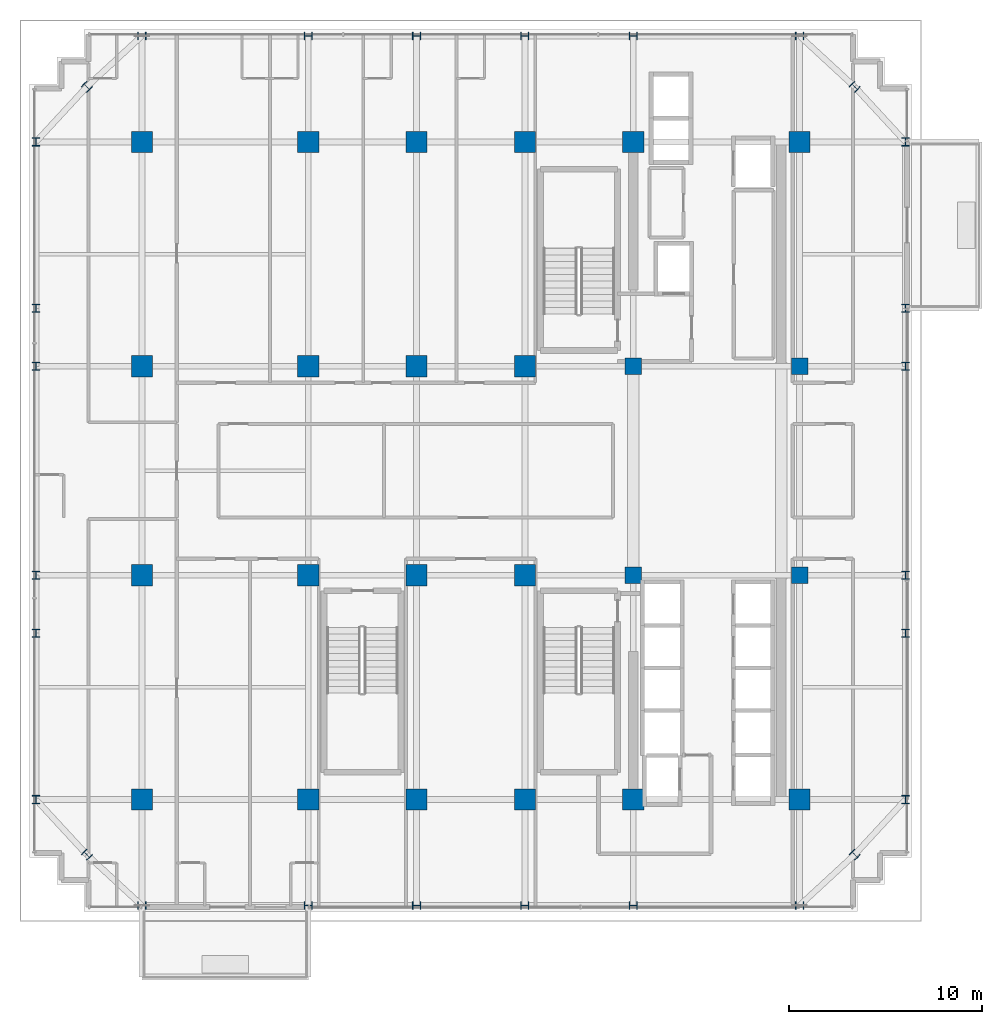
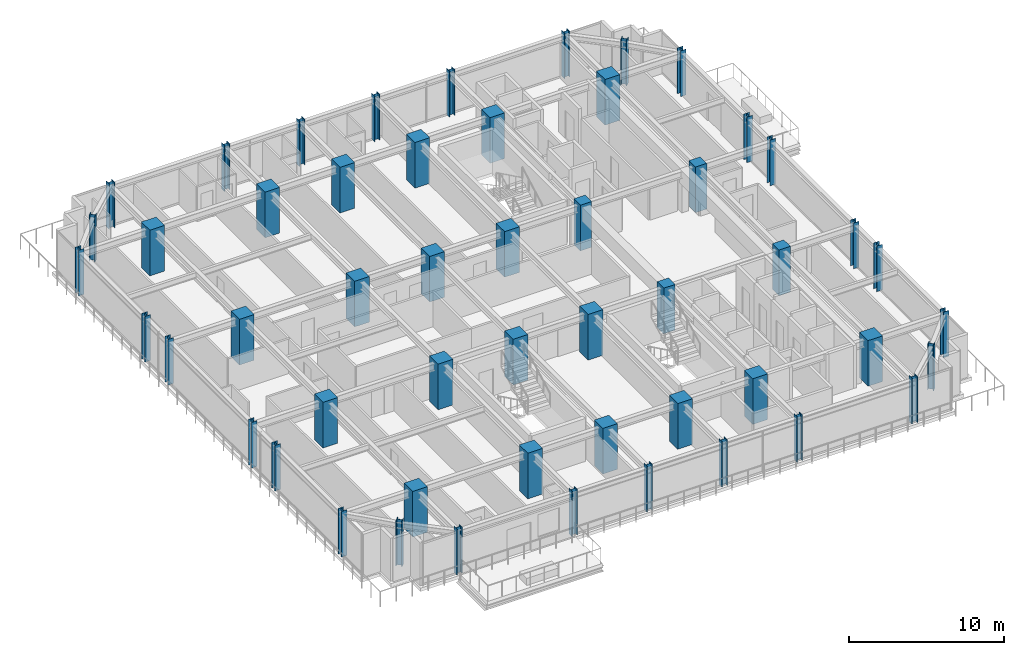
# One storey, part 1 of 33: 52 columns.
"""IFC4 building model written with IfcOpenShell, lengths in metres."""

from ifc_helpers import new_model, si_unit, direction, frame, origin, origin_2d, place, context, subcontext, project, spatial, rectangle, i_section, extrude, source, transform, mapped, material, material_profile, profile_set, type_object, element, save


model = new_model("IFC4")

# Units and contexts
model_context = context("Model", 3, precision=1e-05, world=origin(), true_north=direction((0.0, 1.0)))
body_context = subcontext(model_context, "Body", "Model", "MODEL_VIEW")
ifc_project = project(units=[si_unit("LENGTHUNIT", "METRE"), si_unit("AREAUNIT", "SQUARE_METRE"), si_unit("VOLUMEUNIT", "CUBIC_METRE"), si_unit("PLANEANGLEUNIT", "RADIAN"), si_unit("MASSUNIT", "GRAM", prefix="KILO")], contexts=[model_context])

# Site, building, storey
site_placement = place(None, origin())
site = spatial("IfcSite", under=ifc_project, at=site_placement, CompositionType="ELEMENT")
building_placement = place(site_placement, origin())
building = spatial("IfcBuilding", under=site, at=building_placement, Name="Nahalor Promenade Grand Hotel", CompositionType="ELEMENT")
storey_placement = place(building_placement, frame((0.0, 0.0, 149.0)))
storey = spatial("IfcBuildingStorey", under=building, at=storey_placement, Name="L37", CompositionType="ELEMENT", Elevation=149.0)

# Columns
ifc_material_1 = material(Name="Concrete B-70 (C60/75)", Category="concrete")
ifc_material_profile_1 = material_profile(ifc_material_1, rectangle(XDim=0.85, YDim=0.85, at=origin_2d()), Name="RC 850x850")
ifc_profile_set_1 = profile_set([ifc_material_profile_1], Name="Concrete B-70 (C60/75)")
column_type_1 = type_object("IfcColumnType", Name="Col-Pilaster-850", PredefinedType="PILASTER", material=ifc_profile_set_1)
shared_shape_1 = source(origin(), body_context, "Body", "SweptSolid", [
    extrude(rectangle(XDim=0.85, YDim=0.85, at=origin_2d()), origin(), (0.0, 0.0, 1.0), 3.60498046875),
])
for number, where, z_axis, x_axis, name in (
    (1, (8.39990234375, -5.39990234375, 0.0), (0.0, 0.0, 1.0), (1.0, 0.0, 0.0), "COL-L37-I41"),
    (2, (8.39990234375, 5.39990234375, 0.0), (0.0, 0.0, 1.0), (1.0, 0.0, 0.0), "COL-L37-I42"),
    (3, (17.0, -5.39990234375, 0.0), (0.0, 0.0, 1.0), (1.0, 0.0, 0.0), "COL-L37-I51"),
    (4, (17.0, 5.39990234375, 0.0), (0.0, 0.0, 1.0), (1.0, 0.0, 0.0), "COL-L37-I52"),
):
    element("IfcColumn", number, at=place(storey_placement, frame(where, z_axis=z_axis, x_axis=x_axis)), inside=storey, type_object=column_type_1, Name=name, PredefinedType="PILASTER", context=body_context, shape_type="MappedRepresentation", body=[
        mapped(shared_shape_1, transform((0.0, 0.0, 0.0), scale=1.0)),
    ])
ifc_material_2 = material(Name="Concrete B-60 (C50/60)", Category="concrete")
ifc_material_profile_2 = material_profile(ifc_material_2, rectangle(XDim=1.1, YDim=1.1, at=origin_2d()), Name="RC 1100x1100")
ifc_profile_set_2 = profile_set([ifc_material_profile_2], Name="Concrete B-60 (C50/60)")
column_type_2 = type_object("IfcColumnType", Name="Col-RC-1100", PredefinedType="COLUMN", material=ifc_profile_set_2)
shared_shape_2 = source(origin(), body_context, "Body", "SweptSolid", [
    extrude(rectangle(XDim=1.1, YDim=1.1, at=origin_2d()), origin(), (0.0, 0.0, 1.0), 3.60498046875),
])
for number, where, z_axis, x_axis, name in (
    (5, (-17.0, -17.0, 0.0), (0.0, 0.0, 1.0), (1.0, 0.0, 0.0), "COL-L37-I00"),
    (6, (-17.0, -5.39990234375, 0.0), (0.0, 0.0, 1.0), (1.0, 0.0, 0.0), "COL-L37-I01"),
    (7, (-17.0, 5.39990234375, 0.0), (0.0, 0.0, 1.0), (1.0, 0.0, 0.0), "COL-L37-I02"),
    (8, (-17.0, 17.0, 0.0), (0.0, 0.0, 1.0), (1.0, 0.0, 0.0), "COL-L37-I03"),
    (9, (-8.39990234375, -17.0, 0.0), (0.0, 0.0, 1.0), (1.0, 0.0, 0.0), "COL-L37-I10"),
    (10, (-8.39990234375, -5.39990234375, 0.0), (0.0, 0.0, 1.0), (1.0, 0.0, 0.0), "COL-L37-I11"),
    (11, (-8.39990234375, 5.39990234375, 0.0), (0.0, 0.0, 1.0), (1.0, 0.0, 0.0), "COL-L37-I12"),
    (12, (-8.39990234375, 17.0, 0.0), (0.0, 0.0, 1.0), (1.0, 0.0, 0.0), "COL-L37-I13"),
    (13, (-2.800048828125, -17.0, 0.0), (0.0, 0.0, 1.0), (1.0, 0.0, 0.0), "COL-L37-I20"),
    (14, (-2.800048828125, -5.39990234375, 0.0), (0.0, 0.0, 1.0), (1.0, 0.0, 0.0), "COL-L37-I21"),
    (15, (-2.800048828125, 5.39990234375, 0.0), (0.0, 0.0, 1.0), (1.0, 0.0, 0.0), "COL-L37-I22"),
    (16, (-2.800048828125, 17.0, 0.0), (0.0, 0.0, 1.0), (1.0, 0.0, 0.0), "COL-L37-I23"),
    (17, (2.800048828125, -17.0, 0.0), (0.0, 0.0, 1.0), (1.0, 0.0, 0.0), "COL-L37-I30"),
    (18, (2.800048828125, -5.39990234375, 0.0), (0.0, 0.0, 1.0), (1.0, 0.0, 0.0), "COL-L37-I31"),
    (19, (2.800048828125, 5.39990234375, 0.0), (0.0, 0.0, 1.0), (1.0, 0.0, 0.0), "COL-L37-I32"),
    (20, (2.800048828125, 17.0, 0.0), (0.0, 0.0, 1.0), (1.0, 0.0, 0.0), "COL-L37-I33"),
    (21, (8.39990234375, -17.0, 0.0), (0.0, 0.0, 1.0), (1.0, 0.0, 0.0), "COL-L37-I40"),
    (22, (8.39990234375, 17.0, 0.0), (0.0, 0.0, 1.0), (1.0, 0.0, 0.0), "COL-L37-I43"),
    (23, (17.0, -17.0, 0.0), (0.0, 0.0, 1.0), (1.0, 0.0, 0.0), "COL-L37-I50"),
    (24, (17.0, 17.0, 0.0), (0.0, 0.0, 1.0), (1.0, 0.0, 0.0), "COL-L37-I53"),
):
    element("IfcColumn", number, at=place(storey_placement, frame(where, z_axis=z_axis, x_axis=x_axis)), inside=storey, type_object=column_type_2, Name=name, PredefinedType="COLUMN", context=body_context, shape_type="MappedRepresentation", body=[
        mapped(shared_shape_2, transform((0.0, 0.0, 0.0), scale=1.0)),
    ])
ifc_material_3 = material(Name="Steel S355J2", Category="steel")
ifc_material_profile_3 = material_profile(ifc_material_3, i_section(OverallWidth=0.406, OverallDepth=0.422, WebThickness=0.019, FlangeThickness=0.0305, at=origin_2d()), Name="HD 400x382")
ifc_profile_set_3 = profile_set([ifc_material_profile_3], Name="Steel S355J2")
column_type_3 = type_object("IfcColumnType", Name="Col-Steel-HD382", PredefinedType="COLUMN", material=ifc_profile_set_3)
shared_shape_3 = source(origin(), body_context, "Body", "SweptSolid", [
    extrude(i_section(OverallWidth=0.406, OverallDepth=0.422, WebThickness=0.019, FlangeThickness=0.0305, at=origin_2d()), origin(), (0.0, 0.0, 1.0), 3.60498046875),
])
for number, where, z_axis, x_axis, name in (
    (25, (-22.47998046875, -17.0, 0.0), (0.0, 0.0, 1.0), (1.0, 0.0, 0.0), "COL-L37-PW-W0"),
    (26, (22.47998046875, -17.0, 0.0), (0.0, 0.0, 1.0), (1.0, 0.0, 0.0), "COL-L37-PW-E0"),
    (27, (-22.47998046875, -8.39990234375, 0.0), (0.0, 0.0, 1.0), (1.0, 0.0, 0.0), "COL-L37-PW-W1"),
    (28, (22.47998046875, -8.39990234375, 0.0), (0.0, 0.0, 1.0), (1.0, 0.0, 0.0), "COL-L37-PW-E1"),
    (29, (-22.47998046875, -5.39990234375, 0.0), (0.0, 0.0, 1.0), (1.0, 0.0, 0.0), "COL-L37-PW-W2"),
    (30, (22.47998046875, -5.39990234375, 0.0), (0.0, 0.0, 1.0), (1.0, 0.0, 0.0), "COL-L37-PW-E2"),
    (31, (-22.47998046875, 5.39990234375, 0.0), (0.0, 0.0, 1.0), (1.0, 0.0, 0.0), "COL-L37-PW-W3"),
    (32, (22.47998046875, 5.39990234375, 0.0), (0.0, 0.0, 1.0), (1.0, 0.0, 0.0), "COL-L37-PW-E3"),
    (33, (-22.47998046875, 8.39990234375, 0.0), (0.0, 0.0, 1.0), (1.0, 0.0, 0.0), "COL-L37-PW-W4"),
    (34, (22.47998046875, 8.39990234375, 0.0), (0.0, 0.0, 1.0), (1.0, 0.0, 0.0), "COL-L37-PW-E4"),
    (35, (-22.47998046875, 17.0, 0.0), (0.0, 0.0, 1.0), (1.0, 0.0, 0.0), "COL-L37-PW-W5"),
    (36, (22.47998046875, 17.0, 0.0), (0.0, 0.0, 1.0), (1.0, 0.0, 0.0), "COL-L37-PW-E5"),
    (37, (-17.0, -22.47998046875, 0.0), (0.0, 0.0, 1.0), (0.0, 1.0, 0.0), "COL-L37-PN-S0"),
    (38, (-17.0, 22.47998046875, 0.0), (0.0, 0.0, 1.0), (0.0, 1.0, 0.0), "COL-L37-PN-N0"),
    (39, (-8.39990234375, -22.47998046875, 0.0), (0.0, 0.0, 1.0), (0.0, 1.0, 0.0), "COL-L37-PN-S1"),
    (40, (-8.39990234375, 22.47998046875, 0.0), (0.0, 0.0, 1.0), (0.0, 1.0, 0.0), "COL-L37-PN-N1"),
    (41, (-2.800048828125, -22.47998046875, 0.0), (0.0, 0.0, 1.0), (0.0, 1.0, 0.0), "COL-L37-PN-S2"),
    (42, (-2.800048828125, 22.47998046875, 0.0), (0.0, 0.0, 1.0), (0.0, 1.0, 0.0), "COL-L37-PN-N2"),
    (43, (2.800048828125, -22.47998046875, 0.0), (0.0, 0.0, 1.0), (0.0, 1.0, 0.0), "COL-L37-PN-S3"),
    (44, (2.800048828125, 22.47998046875, 0.0), (0.0, 0.0, 1.0), (0.0, 1.0, 0.0), "COL-L37-PN-N3"),
    (45, (8.39990234375, -22.47998046875, 0.0), (0.0, 0.0, 1.0), (0.0, 1.0, 0.0), "COL-L37-PN-S4"),
    (46, (8.39990234375, 22.47998046875, 0.0), (0.0, 0.0, 1.0), (0.0, 1.0, 0.0), "COL-L37-PN-N4"),
    (47, (17.0, -22.47998046875, 0.0), (0.0, 0.0, 1.0), (0.0, 1.0, 0.0), "COL-L37-PN-S5"),
    (48, (17.0, 22.47998046875, 0.0), (0.0, 0.0, 1.0), (0.0, 1.0, 0.0), "COL-L37-PN-N5"),
    (49, (-19.85009765625, -19.85009765625, 0.0), (0.0, 0.0, 1.0), (0.707106781187, 0.707106781187, 0.0), "COL-L37-CRN-SW"),
    (50, (-19.85009765625, 19.85009765625, 0.0), (0.0, 0.0, 1.0), (0.707106781187, 0.707106781187, 0.0), "COL-L37-CRN-NW"),
    (51, (19.85009765625, -19.85009765625, 0.0), (0.0, 0.0, 1.0), (0.707106781187, 0.707106781187, 0.0), "COL-L37-CRN-SE"),
    (52, (19.85009765625, 19.85009765625, 0.0), (0.0, 0.0, 1.0), (0.707106781187, 0.707106781187, 0.0), "COL-L37-CRN-NE"),
):
    element("IfcColumn", number, at=place(storey_placement, frame(where, z_axis=z_axis, x_axis=x_axis)), inside=storey, type_object=column_type_3, Name=name, PredefinedType="COLUMN", context=body_context, shape_type="MappedRepresentation", body=[
        mapped(shared_shape_3, transform((0.0, 0.0, 0.0), scale=1.0)),
    ])

save(model, "model.ifc")
